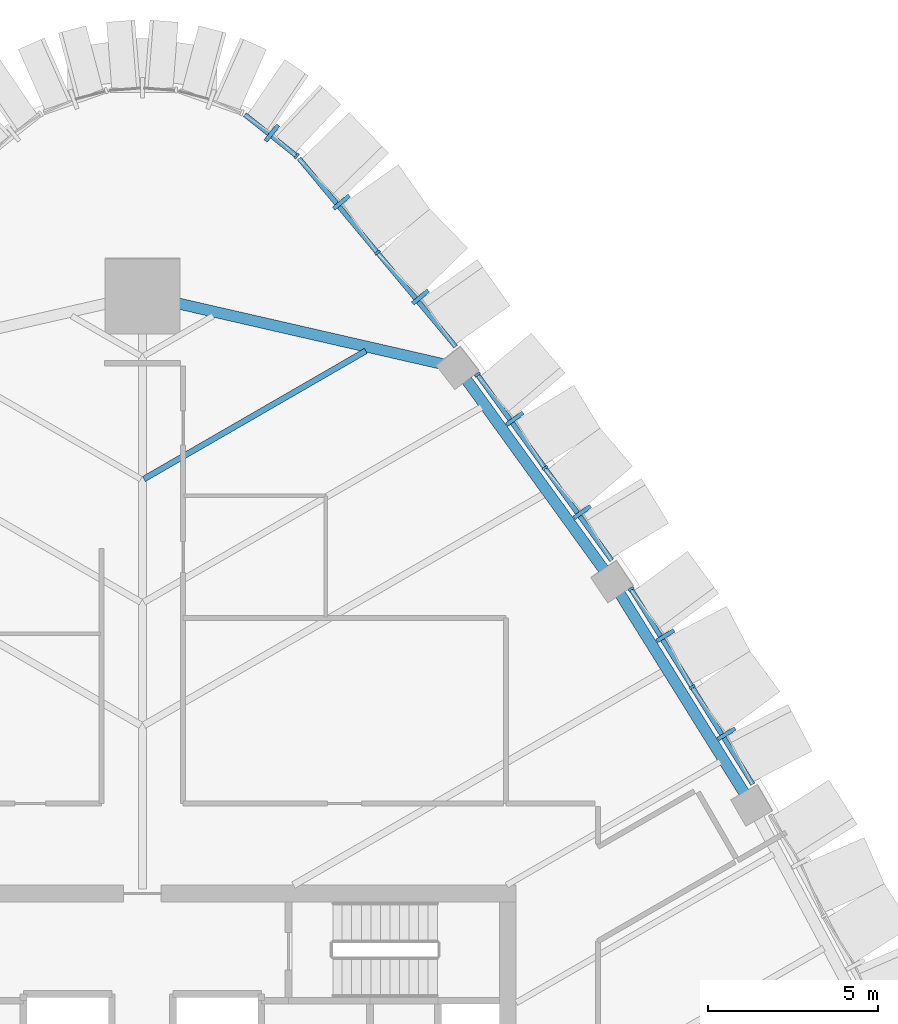
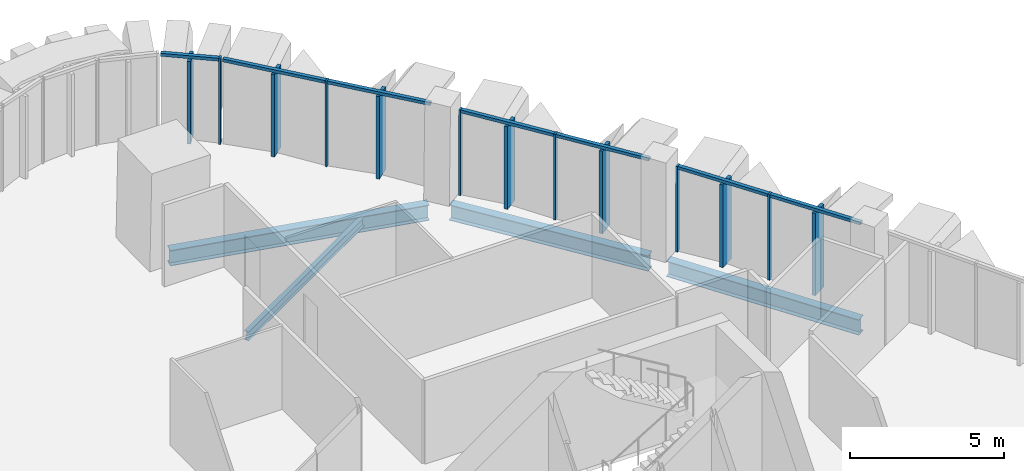
# One storey, part 8 of 22: 20 members, 4 beams, 4 elements without a shape of their own.
"""IFC4 building model written with IfcOpenShell, lengths in metres."""

from ifc_helpers import new_model, si_unit, direction, frame, origin, origin_2d, place, context, subcontext, project, spatial, rectangle, i_section, extrude, material, layer, layer_set, material_profile, profile_set, type_object, element, aggregate, save


model = new_model("IFC4")

# Units and contexts
model_context = context("Model", 3, precision=1e-05, world=origin(), true_north=direction((0.0, 1.0)))
body_context = subcontext(model_context, "Body", "Model", "MODEL_VIEW")
ifc_project = project(units=[si_unit("LENGTHUNIT", "METRE"), si_unit("AREAUNIT", "SQUARE_METRE"), si_unit("VOLUMEUNIT", "CUBIC_METRE"), si_unit("PLANEANGLEUNIT", "RADIAN"), si_unit("MASSUNIT", "GRAM", prefix="KILO")], contexts=[model_context])

# Site, building, storey
site_placement = place(None, origin())
site = spatial("IfcSite", under=ifc_project, at=site_placement, CompositionType="ELEMENT")
building_placement = place(site_placement, origin())
building = spatial("IfcBuilding", under=site, at=building_placement, Name="Sierra Prisma Convention Tower", CompositionType="ELEMENT")
storey_placement = place(building_placement, frame((0.0, 0.0, 243.0)))
storey = spatial("IfcBuildingStorey", under=building, at=storey_placement, Name="L54", CompositionType="ELEMENT", Elevation=243.0)

# Curtain wall, members
ifc_material_1 = material(Name="Aluminium and glass curtain wall", Category="aluminium")
ifc_layer = layer(ifc_material_1, 0.179931640625)
ifc_layer_set = layer_set([ifc_layer], Name="CW-2 Faceted crystal curtain wall")
curtain_wall_type = type_object("IfcCurtainWallType", Name="CW-2 Faceted crystal curtain wall", PredefinedType="NOTDEFINED", material=ifc_layer_set)
curtain_wall_1_placement = place(storey_placement, origin())
curtain_wall_1 = element("IfcCurtainWall", 1, at=curtain_wall_1_placement, inside=storey, type_object=curtain_wall_type, Name="CW-2 NE4 L54", PredefinedType="NOTDEFINED")
ifc_material_2 = material(Name="Aluminium 6063-T6 bronze anodised", Category="aluminium")
ifc_material_profile_1 = material_profile(ifc_material_2, rectangle(XDim=0.1201171875, YDim=0.60009765625, at=origin_2d()), Name="ALU RIDGE BLADE 120x600")
ifc_profile_set_1 = profile_set([ifc_material_profile_1], Name="Aluminium 6063-T6 bronze anodised")
member_type_1 = type_object("IfcMemberType", Name="CW hip bronze", PredefinedType="MULLION", material=ifc_profile_set_1)
member_1_placement = place(storey_placement, frame((17.18896484375, 12.4521484375, 0.0), z_axis=(0.0, 0.0, 1.0), x_axis=(-0.529271994435, 0.848452211917, 0.0)))
member_1 = element("IfcMember", 2, at=member_1_placement, type_object=member_type_1, Name="CW-2 ridge NE4.1", PredefinedType="MULLION", context=body_context, shape_type="SweptSolid", body=[
    extrude(rectangle(XDim=0.1201171875, YDim=0.60009765625, at=origin_2d()), origin(), (0.0, 0.0, 1.0), 3.280029296875),
])
member_2_placement = place(storey_placement, frame((15.387939453125, 15.339111328125, 0.0), z_axis=(0.0, 0.0, 1.0), x_axis=(-0.529271994435, 0.848452211917, 0.0)))
member_2 = element("IfcMember", 3, at=member_2_placement, type_object=member_type_1, Name="CW-2 ridge NE4.2", PredefinedType="MULLION", context=body_context, shape_type="SweptSolid", body=[
    extrude(rectangle(XDim=0.1201171875, YDim=0.60009765625, at=origin_2d()), origin(), (0.0, 0.0, 1.0), 3.280029296875),
])

curtain_wall_2_placement = place(storey_placement, origin())
curtain_wall_2 = element("IfcCurtainWall", 4, at=curtain_wall_2_placement, inside=storey, type_object=curtain_wall_type, Name="CW-2 NE5 L54", PredefinedType="NOTDEFINED")
member_3_placement = place(storey_placement, frame((12.9423828125, 18.97705078125, 0.0), z_axis=(0.0, 0.0, 1.0), x_axis=(-0.585931716812, 0.810360427979, 0.0)))
member_3 = element("IfcMember", 5, at=member_3_placement, type_object=member_type_1, Name="CW-2 ridge NE5.1", PredefinedType="MULLION", context=body_context, shape_type="SweptSolid", body=[
    extrude(rectangle(XDim=0.1201171875, YDim=0.60009765625, at=origin_2d()), origin(), (0.0, 0.0, 1.0), 3.280029296875),
])
member_4_placement = place(storey_placement, frame((10.957763671875, 21.721923828125, 0.0), z_axis=(0.0, 0.0, 1.0), x_axis=(-0.585931716812, 0.810360427979, 0.0)))
member_4 = element("IfcMember", 6, at=member_4_placement, type_object=member_type_1, Name="CW-2 ridge NE5.2", PredefinedType="MULLION", context=body_context, shape_type="SweptSolid", body=[
    extrude(rectangle(XDim=0.1201171875, YDim=0.60009765625, at=origin_2d()), origin(), (0.0, 0.0, 1.0), 3.280029296875),
])

curtain_wall_3_placement = place(storey_placement, origin())
curtain_wall_3 = element("IfcCurtainWall", 7, at=curtain_wall_3_placement, inside=storey, type_object=curtain_wall_type, Name="CW-2 NE6 L54", PredefinedType="NOTDEFINED")
member_5_placement = place(storey_placement, frame((8.185546875, 25.303955078125, 0.0), z_axis=(0.0, 0.0, 1.0), x_axis=(-0.639860230906, 0.768491304378, 0.0)))
member_5 = element("IfcMember", 8, at=member_5_placement, type_object=member_type_1, Name="CW-2 ridge NE6.1", PredefinedType="MULLION", context=body_context, shape_type="SweptSolid", body=[
    extrude(rectangle(XDim=0.1201171875, YDim=0.60009765625, at=origin_2d()), origin(), (0.0, 0.0, 1.0), 3.280029296875),
])
member_6_placement = place(storey_placement, frame((5.8603515625, 28.09619140625, 0.0), z_axis=(0.0, 0.0, 1.0), x_axis=(-0.639860230906, 0.768491304378, 0.0)))
member_6 = element("IfcMember", 9, at=member_6_placement, type_object=member_type_1, Name="CW-2 ridge NE6.2", PredefinedType="MULLION", context=body_context, shape_type="SweptSolid", body=[
    extrude(rectangle(XDim=0.1201171875, YDim=0.60009765625, at=origin_2d()), origin(), (0.0, 0.0, 1.0), 3.280029296875),
])

# Curtain wall, member
curtain_wall_4_placement = place(storey_placement, origin())
curtain_wall_4 = element("IfcCurtainWall", 10, at=curtain_wall_4_placement, inside=storey, type_object=curtain_wall_type, Name="CW-2 N1 L54", PredefinedType="NOTDEFINED")
member_7_placement = place(storey_placement, frame((3.812744140625, 30.12890625, 0.0), z_axis=(0.0, 0.0, 1.0), x_axis=(-0.781413121027, 0.624014049752, 0.0)))
member_7 = element("IfcMember", 11, at=member_7_placement, type_object=member_type_1, Name="CW-2 ridge N1.1", PredefinedType="MULLION", context=body_context, shape_type="SweptSolid", body=[
    extrude(rectangle(XDim=0.1201171875, YDim=0.60009765625, at=origin_2d()), origin(), (0.0, 0.0, 1.0), 3.280029296875),
])

# Member
ifc_material_3 = material(Name="Aluminium 6063-T6 bronze anodised", Category="aluminium")
ifc_material_profile_2 = material_profile(ifc_material_3, rectangle(XDim=0.179931640625, YDim=0.070068359375, at=origin_2d()), Name="ALU MULLION 70x180")
ifc_profile_set_2 = profile_set([ifc_material_profile_2], Name="Aluminium 6063-T6 bronze anodised")
member_type_2 = type_object("IfcMemberType", Name="CW mullion bronze", PredefinedType="MULLION", material=ifc_profile_set_2)
member_8_placement = place(storey_placement, frame((16.17724609375, 13.826416015625, 0.0), z_axis=(0.0, 0.0, 1.0), x_axis=(-0.848452211917, -0.529271994435, 0.0)))
member_8 = element("IfcMember", 12, at=member_8_placement, type_object=member_type_2, Name="CW-1 mullion NE4.2", PredefinedType="MULLION", context=body_context, shape_type="SweptSolid", body=[
    extrude(rectangle(XDim=0.179931640625, YDim=0.070068359375, at=origin_2d()), origin(), (0.0, 0.0, 1.0), 3.39990234375),
])

member_9_placement = place(storey_placement, frame((14.376220703125, 16.71337890625, 0.0), z_axis=(0.0, 0.0, 1.0), x_axis=(-0.848452211917, -0.529271994435, 0.0)))
member_9 = element("IfcMember", 13, at=member_9_placement, type_object=member_type_2, Name="CW-1 mullion NE4.3", PredefinedType="MULLION", context=body_context, shape_type="SweptSolid", body=[
    extrude(rectangle(XDim=0.179931640625, YDim=0.070068359375, at=origin_2d()), origin(), (0.0, 0.0, 1.0), 3.39990234375),
])

member_10_placement = place(storey_placement, frame((11.84423828125, 20.27294921875, 0.0), z_axis=(0.0, 0.0, 1.0), x_axis=(-0.810360427979, -0.585931716812, 0.0)))
member_10 = element("IfcMember", 14, at=member_10_placement, type_object=member_type_2, Name="CW-1 mullion NE5.2", PredefinedType="MULLION", context=body_context, shape_type="SweptSolid", body=[
    extrude(rectangle(XDim=0.179931640625, YDim=0.070068359375, at=origin_2d()), origin(), (0.0, 0.0, 1.0), 3.39990234375),
])

member_11_placement = place(storey_placement, frame((9.859375, 23.01806640625, 0.0), z_axis=(0.0, 0.0, 1.0), x_axis=(-0.810360427979, -0.585931716812, 0.0)))
member_11 = element("IfcMember", 15, at=member_11_placement, type_object=member_type_2, Name="CW-1 mullion NE5.3", PredefinedType="MULLION", context=body_context, shape_type="SweptSolid", body=[
    extrude(rectangle(XDim=0.179931640625, YDim=0.070068359375, at=origin_2d()), origin(), (0.0, 0.0, 1.0), 3.39990234375),
])

member_12_placement = place(storey_placement, frame((6.915283203125, 26.6103515625, 0.0), z_axis=(0.0, 0.0, 1.0), x_axis=(-0.768491304378, -0.639860230906, 0.0)))
member_12 = element("IfcMember", 16, at=member_12_placement, type_object=member_type_2, Name="CW-1 mullion NE6.2", PredefinedType="MULLION", context=body_context, shape_type="SweptSolid", body=[
    extrude(rectangle(XDim=0.179931640625, YDim=0.070068359375, at=origin_2d()), origin(), (0.0, 0.0, 1.0), 3.39990234375),
])

member_13_placement = place(storey_placement, frame((4.54052734375, 29.451416015625, 0.0), z_axis=(0.0, 0.0, 1.0), x_axis=(-0.624014049752, -0.781413121027, 0.0)))
member_13 = element("IfcMember", 17, at=member_13_placement, type_object=member_type_2, Name="CW-1 mullion N1.1", PredefinedType="MULLION", context=body_context, shape_type="SweptSolid", body=[
    extrude(rectangle(XDim=0.179931640625, YDim=0.070068359375, at=origin_2d()), origin(), (0.0, 0.0, 1.0), 3.39990234375),
])

ifc_material_4 = material(Name="Aluminium 6063-T6 bronze anodised", Category="aluminium")
ifc_material_profile_3 = material_profile(ifc_material_4, rectangle(XDim=0.139892578125, YDim=0.1201171875, at=origin_2d()), Name="ALU TRANSOM 120x140")
ifc_profile_set_3 = profile_set([ifc_material_profile_3], Name="Aluminium 6063-T6 bronze anodised")
member_type_3 = type_object("IfcMemberType", Name="CW transom bronze", PredefinedType="USERDEFINED", material=ifc_profile_set_3)
member_14_placement = place(storey_placement, frame((17.95947265625, 10.968994140625, 3.340087890625), z_axis=(-0.529221680179, 0.848483596323, 0.0), x_axis=(-0.848483596323, -0.529221680179, 0.0)))
member_14 = element("IfcMember", 18, at=member_14_placement, type_object=member_type_3, Name="CW-1 transom NE4.1", ObjectType="TRANSOM", PredefinedType="USERDEFINED", context=body_context, shape_type="SweptSolid", body=[
    extrude(rectangle(XDim=0.139892578125, YDim=0.1201171875, at=origin_2d()), origin(), (0.0, 0.0, 1.0), 3.33251953125),
])

member_15_placement = place(storey_placement, frame((16.15869140625, 13.85595703125, 3.340087890625), z_axis=(-0.529274417921, 0.84845070012, 0.0), x_axis=(-0.84845070012, -0.529274417921, 0.0)))
member_15 = element("IfcMember", 19, at=member_15_placement, type_object=member_type_3, Name="CW-1 transom NE4.2", ObjectType="TRANSOM", PredefinedType="USERDEFINED", context=body_context, shape_type="SweptSolid", body=[
    extrude(rectangle(XDim=0.139892578125, YDim=0.1201171875, at=origin_2d()), origin(), (0.0, 0.0, 1.0), 3.332763671875),
])

aggregate(curtain_wall_1, [member_8, member_9, member_14, member_1, member_15, member_2])

member_16_placement = place(storey_placement, frame((13.80859375, 17.556396484375, 3.340087890625), z_axis=(-0.585955308847, 0.810343369217, 0.0), x_axis=(-0.810343369217, -0.585955308847, 0.0)))
member_16 = element("IfcMember", 20, at=member_16_placement, type_object=member_type_3, Name="CW-1 transom NE5.1", ObjectType="TRANSOM", PredefinedType="USERDEFINED", context=body_context, shape_type="SweptSolid", body=[
    extrude(rectangle(XDim=0.139892578125, YDim=0.1201171875, at=origin_2d()), origin(), (0.0, 0.0, 1.0), 3.3173828125),
])

member_17_placement = place(storey_placement, frame((11.82373046875, 20.30126953125, 3.340087890625), z_axis=(-0.585920366122, 0.810368634983, 0.0), x_axis=(-0.810368634983, -0.585920366122, 0.0)))
member_17 = element("IfcMember", 21, at=member_17_placement, type_object=member_type_3, Name="CW-1 transom NE5.2", ObjectType="TRANSOM", PredefinedType="USERDEFINED", context=body_context, shape_type="SweptSolid", body=[
    extrude(rectangle(XDim=0.139892578125, YDim=0.1201171875, at=origin_2d()), origin(), (0.0, 0.0, 1.0), 3.317626953125),
])

aggregate(curtain_wall_2, [member_10, member_11, member_16, member_3, member_17, member_4])

member_18_placement = place(storey_placement, frame((9.2177734375, 23.844970703125, 3.340087890625), z_axis=(-0.639881109892, 0.768473919664, 0.0), x_axis=(-0.768473919664, -0.639881109892, 0.0)))
member_18 = element("IfcMember", 22, at=member_18_placement, type_object=member_type_3, Name="CW-1 transom NE6.1", ObjectType="TRANSOM", PredefinedType="USERDEFINED", context=body_context, shape_type="SweptSolid", body=[
    extrude(rectangle(XDim=0.139892578125, YDim=0.1201171875, at=origin_2d()), origin(), (0.0, 0.0, 1.0), 3.5634765625),
])

member_19_placement = place(storey_placement, frame((6.892822265625, 26.63720703125, 3.340087890625), z_axis=(-0.639847422616, 0.768501968619, 0.0), x_axis=(-0.768501968619, -0.639847422616, 0.0)))
member_19 = element("IfcMember", 23, at=member_19_placement, type_object=member_type_3, Name="CW-1 transom NE6.2", ObjectType="TRANSOM", PredefinedType="USERDEFINED", context=body_context, shape_type="SweptSolid", body=[
    extrude(rectangle(XDim=0.139892578125, YDim=0.1201171875, at=origin_2d()), origin(), (0.0, 0.0, 1.0), 3.563720703125),
])

aggregate(curtain_wall_3, [member_12, member_18, member_5, member_19, member_6])

member_20_placement = place(storey_placement, frame((4.51318359375, 29.473388671875, 3.340087890625), z_axis=(-0.781403982403, 0.624025493297, 0.0), x_axis=(-0.624025493297, -0.781403982403, 0.0)))
member_20 = element("IfcMember", 24, at=member_20_placement, type_object=member_type_3, Name="CW-1 transom N1.1", ObjectType="TRANSOM", PredefinedType="USERDEFINED", context=body_context, shape_type="SweptSolid", body=[
    extrude(rectangle(XDim=0.139892578125, YDim=0.1201171875, at=origin_2d()), origin(), (0.0, 0.0, 1.0), 1.912841796875),
])

aggregate(curtain_wall_4, [member_13, member_20, member_7])

# Beams
ifc_material_5 = material(Name="Steel ASTM A992 Gr 50", Category="steel")
ifc_material_profile_4 = material_profile(ifc_material_5, i_section(OverallWidth=0.172119140625, OverallDepth=0.35791015625, WebThickness=0.0078125, FlangeThickness=0.01318359375, at=origin_2d()), Name="W360x57")
ifc_profile_set_4 = profile_set([ifc_material_profile_4], Name="Steel ASTM A992 Gr 50")
beam_type_1 = type_object("IfcBeamType", Name="Floor joist W360x57", PredefinedType="JOIST", material=ifc_profile_set_4)
beam_1_placement = place(storey_placement, frame((6.574462890625, 23.717041015625, -0.3291015625), z_axis=(-0.866038354985, -0.499977567191, 0.0), x_axis=(0.499977567191, -0.866038354985, 0.0)))
element("IfcBeam", 25, at=beam_1_placement, inside=storey, type_object=beam_type_1, Name="Floor joist L54 NE13", PredefinedType="JOIST", context=body_context, shape_type="SweptSolid", body=[
    extrude(i_section(OverallWidth=0.172119140625, OverallDepth=0.35791015625, WebThickness=0.0078125, FlangeThickness=0.01318359375, at=origin_2d()), origin(), (0.0, 0.0, 1.0), 7.538330078125),
])
ifc_material_6 = material(Name="Steel ASTM A992 Gr 50", Category="steel")
ifc_material_profile_5 = material_profile(ifc_material_6, i_section(OverallWidth=0.324951171875, OverallDepth=0.615966796875, WebThickness=0.013916015625, FlangeThickness=0.021484375, at=origin_2d()), Name="W610x174")
ifc_profile_set_5 = profile_set([ifc_material_profile_5], Name="Steel ASTM A992 Gr 50")
beam_type_2 = type_object("IfcBeamType", Name="Spandrel beam W610x174", PredefinedType="BEAM", material=ifc_profile_set_5)
for number, where, z_axis, x_axis, name in (
    (26, (17.7568359375, 10.633056640625, -0.4580078125), (-0.529269581106, 0.848453717368, 0.0), (-0.848453717368, -0.529269581106, 0.0), "Spandrel L54-10"),
    (27, (13.62939453125, 17.207275390625, -0.4580078125), (-0.585939740331, 0.810354626506, 0.0), (-0.810354626506, -0.585939740331, 0.0), "Spandrel L54-11"),
):
    element("IfcBeam", number, at=place(storey_placement, frame(where, z_axis=z_axis, x_axis=x_axis)), inside=storey, type_object=beam_type_2, Name=name, PredefinedType="BEAM", context=body_context, shape_type="SweptSolid", body=[
        extrude(i_section(OverallWidth=0.324951171875, OverallDepth=0.615966796875, WebThickness=0.013916015625, FlangeThickness=0.021484375, at=origin_2d()), origin(), (0.0, 0.0, 1.0), 7.102783203125),
    ])
beam_2_placement = place(storey_placement, frame((8.82421875, 23.333740234375, -0.4580078125), z_axis=(-0.974765554858, 0.223231075483, 0.0), x_axis=(-0.223231075483, -0.974765554858, 0.0)))
element("IfcBeam", 28, at=beam_2_placement, inside=storey, type_object=beam_type_2, Name="Spandrel L54-12", PredefinedType="BEAM", context=body_context, shape_type="SweptSolid", body=[
    extrude(i_section(OverallWidth=0.324951171875, OverallDepth=0.615966796875, WebThickness=0.013916015625, FlangeThickness=0.021484375, at=origin_2d()), origin(), (0.0, 0.0, 1.0), 8.826904296875),
])

save(model, "model.ifc")
